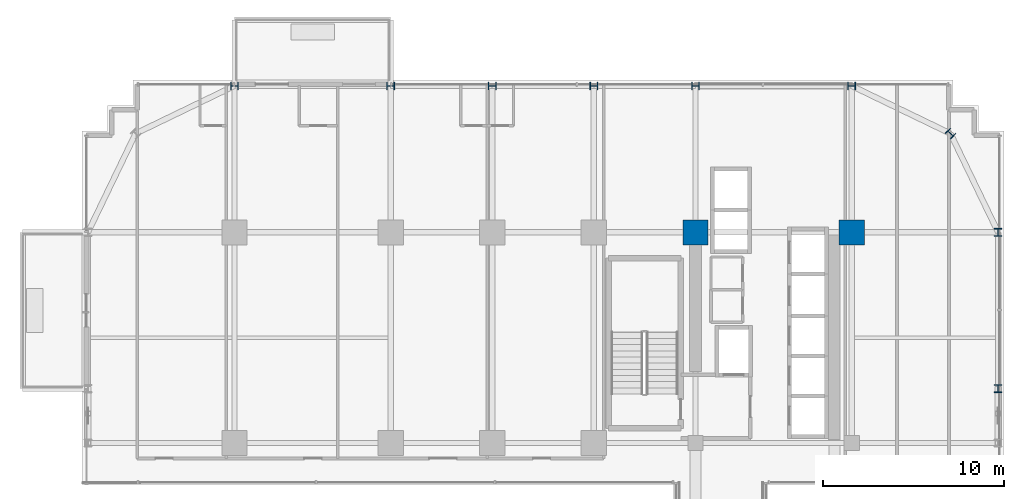
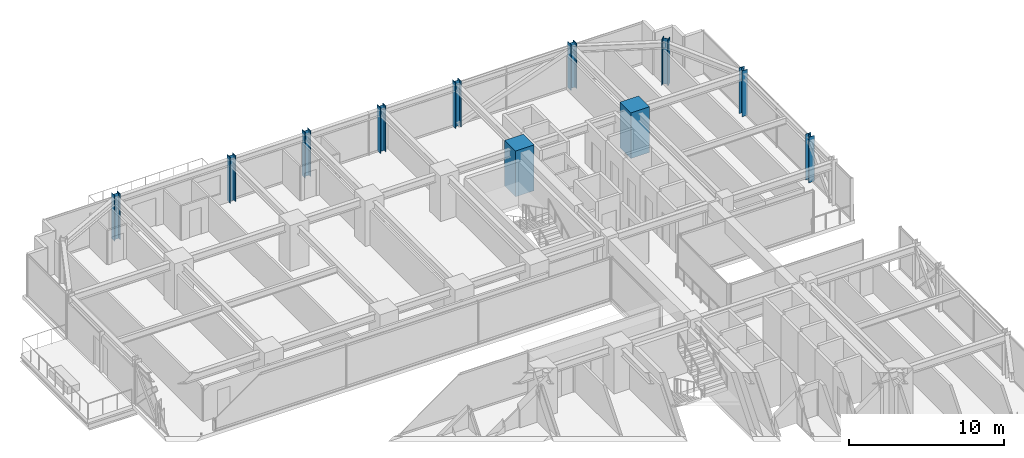
# One storey, part 2 of 42: 11 columns.
"""IFC4 building model written with IfcOpenShell, lengths in metres."""

import ifcopenshell
import ifcopenshell.guid

model = None  # the IFC model being written
_history = None  # IfcOwnerHistory: only IFC2X3 demands one
_inside = {}  # id of a spatial element -> (the spatial element, [elements in it])
_under = {}  # id of a project, library or spatial element -> (it, [spatial elements below it])
_declared = {}  # id of a project -> (the project, [libraries it declares])
_typed = {}  # id of a type object -> (the type object, [elements of that type])
_made_of = {}  # id of a material, layer set ... -> (it, [elements and type objects made of it])


def new_model(schema):
    """Start an empty IFC model of exactly this schema.

    Asked for "IFC4X3", IfcOpenShell would pick the latest addendum, in which some entities
    have other attributes; the version numbers below select the first issue.
    IFC2X3 requires an IfcOwnerHistory on every rooted entity: one is made here for all.
    """
    global model, _history
    if schema == "IFC4X3":
        model = ifcopenshell.file(schema_version=(4, 3, 0, 0))
    else:
        model = ifcopenshell.file(schema=schema)
    _inside.clear()
    _under.clear()
    _declared.clear()
    _typed.clear()
    _made_of.clear()
    _history = None
    if model.schema == "IFC2X3":
        org = make("IfcOrganization", Name="unknown")
        user = make(
            "IfcPersonAndOrganization",
            ThePerson=make("IfcPerson", FamilyName="unknown"),
            TheOrganization=org,
        )
        app = make(
            "IfcApplication",
            ApplicationDeveloper=org,
            Version="unknown",
            ApplicationFullName="unknown",
            ApplicationIdentifier="unknown",
        )
        _history = make(
            "IfcOwnerHistory",
            OwningUser=user,
            OwningApplication=app,
            ChangeAction="ADDED",
            CreationDate=0,
        )
    return model


def make(cls, **values):
    """One entity of the class cls with the attributes given. An attribute that is None is left unset."""
    return model.create_entity(
        cls, **{name: value for name, value in values.items() if value is not None}
    )


def rooted(cls, **values):
    """An entity with a GlobalId (a new one), such as an element, a storey or a relation."""
    return make(cls, GlobalId=ifcopenshell.guid.new(), OwnerHistory=_history, **values)


def si_unit(unit_type, name, prefix=None):
    """IfcSIUnit, for example si_unit("LENGTHUNIT", "METRE", prefix="MILLI")."""
    return make("IfcSIUnit", UnitType=unit_type, Prefix=prefix, Name=name)


def assignment(units):
    """IfcUnitAssignment: the units of a project."""
    return None if units is None else make("IfcUnitAssignment", Units=units)


def point(xyz):
    """IfcCartesianPoint."""
    return None if xyz is None else make("IfcCartesianPoint", Coordinates=xyz)


def direction(xyz):
    """IfcDirection."""
    return None if xyz is None else make("IfcDirection", DirectionRatios=xyz)


def frame(location, z_axis=None, x_axis=None):
    """IfcAxis2Placement3D, a coordinate frame: its origin and axes. An axis left out is left unset."""
    return make(
        "IfcAxis2Placement3D",
        Location=point(location),
        Axis=direction(z_axis),
        RefDirection=direction(x_axis),
    )


def frame_2d(location, x_axis=None):
    """IfcAxis2Placement2D, a coordinate frame in the plane: its origin and x axis."""
    return make(
        "IfcAxis2Placement2D", Location=point(location), RefDirection=direction(x_axis)
    )


def origin():
    """The frame at (0, 0, 0) with its axes left unset."""
    return frame((0.0, 0.0, 0.0))


def origin_2d():
    """The frame at (0, 0) in the plane with its x axis left unset."""
    return frame_2d((0.0, 0.0))


def place(relative_to, where):
    """IfcLocalPlacement: puts the frame where relative to a parent placement (None: the world)."""
    return make(
        "IfcLocalPlacement", PlacementRelTo=relative_to, RelativePlacement=where
    )


def context(
    kind, dimensions, precision=None, world=None, true_north=None, identifier=None
):
    """IfcGeometricRepresentationContext, for example the 3D "Model" context."""
    return make(
        "IfcGeometricRepresentationContext",
        ContextIdentifier=identifier,
        ContextType=kind,
        CoordinateSpaceDimension=dimensions,
        Precision=precision,
        WorldCoordinateSystem=world,
        TrueNorth=true_north,
    )


def subcontext(parent, identifier, kind, view, scale=None):
    """IfcGeometricRepresentationSubContext, for example "Body" below "Model"."""
    return make(
        "IfcGeometricRepresentationSubContext",
        ContextIdentifier=identifier,
        ContextType=kind,
        ParentContext=parent,
        TargetScale=scale,
        TargetView=view,
    )


def project(units=None, contexts=None):
    """IfcProject with its units and contexts."""
    return rooted(
        "IfcProject",
        Name="project",
        RepresentationContexts=contexts,
        UnitsInContext=assignment(units),
    )


def spatial(cls, under=None, at=None, **own):
    """A site, building, storey or space (cls), placed at a placement, below another one or the project."""
    s = rooted(cls, ObjectPlacement=at, **own)
    if under is not None:
        _under.setdefault(under.id(), (under, []))[1].append(s)
    return s


def profile(cls, at=None, kind="AREA", **sizes):
    """A parametric profile (cls). Its sizes go by their IFC names, for example OverallWidth=200.0."""
    return make(cls, ProfileType=kind, Position=at, **sizes)


def rectangle(**sizes):
    """IfcRectangleProfileDef."""
    return profile("IfcRectangleProfileDef", **sizes)


def i_section(**sizes):
    """IfcIShapeProfileDef."""
    return profile("IfcIShapeProfileDef", **sizes)


def extrude(swept, where, along, depth):
    """IfcExtrudedAreaSolid: the profile swept, set in the frame where, extruded along a direction by depth."""
    return make(
        "IfcExtrudedAreaSolid",
        SweptArea=swept,
        Position=where,
        ExtrudedDirection=direction(along),
        Depth=depth,
    )


def shape(context_of_items, identifier, shape_type, items):
    """IfcShapeRepresentation: the items that make up one representation, for example the "Body"."""
    return make(
        "IfcShapeRepresentation",
        ContextOfItems=context_of_items,
        RepresentationIdentifier=identifier,
        RepresentationType=shape_type,
        Items=items,
    )


def source(mapping_origin, context_of_items, identifier, shape_type, items):
    """IfcRepresentationMap: a shape defined once, which mapped items show again and again."""
    return make(
        "IfcRepresentationMap",
        MappingOrigin=mapping_origin,
        MappedRepresentation=shape(context_of_items, identifier, shape_type, items),
    )


def transform(
    local_origin,
    x_axis=None,
    y_axis=None,
    z_axis=None,
    scale=None,
    scale2=None,
    scale3=None,
    uniform=True,
):
    """IfcCartesianTransformationOperator3D, or its non-uniform kind. x_axis, y_axis, z_axis: its Axis1, 2, 3."""
    if uniform:
        return make(
            "IfcCartesianTransformationOperator3D",
            Axis1=direction(x_axis),
            Axis2=direction(y_axis),
            LocalOrigin=point(local_origin),
            Scale=scale,
            Axis3=direction(z_axis),
        )
    return make(
        "IfcCartesianTransformationOperator3DnonUniform",
        Axis1=direction(x_axis),
        Axis2=direction(y_axis),
        LocalOrigin=point(local_origin),
        Scale=scale,
        Axis3=direction(z_axis),
        Scale2=scale2,
        Scale3=scale3,
    )


def mapped(mapping_source, mapping_target):
    """IfcMappedItem: shows the shape of a source again, moved by a transform."""
    return make(
        "IfcMappedItem", MappingSource=mapping_source, MappingTarget=mapping_target
    )


def material(Name=None, Category=None):
    """IfcMaterial."""
    return make("IfcMaterial", Name=Name, Category=Category)


def material_profile(
    of_material, cross_section, Name=None, Category=None, Priority=None
):
    """IfcMaterialProfile: a cross section and its material."""
    return make(
        "IfcMaterialProfile",
        Name=Name,
        Material=of_material,
        Profile=cross_section,
        Priority=Priority,
        Category=Category,
    )


def profile_set(profiles, Name=None, composite=None):
    """IfcMaterialProfileSet."""
    return make(
        "IfcMaterialProfileSet",
        Name=Name,
        MaterialProfiles=profiles,
        CompositeProfile=composite,
    )


def made_of(thing, what):
    """Note that an element or type object is made of a material, layer set ...; save() writes the relation."""
    if what is not None:
        _made_of.setdefault(what.id(), (what, []))[1].append(thing)
    return thing


def type_object(cls, material=None, **own):
    """A type object (cls), such as IfcWallType, which elements share."""
    return made_of(rooted(cls, **own), material)


def element(
    cls,
    number,
    at=None,
    inside=None,
    cuts=None,
    type_object=None,
    material=None,
    context=None,
    identifier="Body",
    shape_type=None,
    held_by="IfcProductDefinitionShape",
    body=None,
    shapes=None,
    **own,
):
    """One element of the class cls, such as IfcWall. Its Tag is "e" and its number.

    at: its placement. inside: the storey or other place that contains it. cuts: it is an
    opening in that element (IfcRelVoidsElement). A single representation is given by context,
    identifier, shape_type and body (its items); several are given by shapes. held_by: the class
    of the entity that holds the representations. save() writes the other relations.
    """
    e = rooted(cls, Tag="e%d" % number, ObjectPlacement=at, **own)
    if body is not None:
        shapes = [shape(context, identifier, shape_type, body)]
    if shapes is not None:
        e.Representation = make(held_by, Representations=shapes)
    if inside is not None:
        _inside.setdefault(inside.id(), (inside, []))[1].append(e)
    if cuts is not None:
        rooted(
            "IfcRelVoidsElement", RelatingBuildingElement=cuts, RelatedOpeningElement=e
        )
    if type_object is not None:
        _typed.setdefault(type_object.id(), (type_object, []))[1].append(e)
    return made_of(e, material)


def aggregate(whole, parts):
    """IfcRelAggregates: a whole, such as a stair, and the parts it consists of."""
    return rooted("IfcRelAggregates", RelatingObject=whole, RelatedObjects=parts)


def save(model, path):
    """Write the relations noted so far, then the file.

    IfcRelAggregates (storeys below a building ...), IfcRelContainedInSpatialStructure (elements
    in a storey), IfcRelDefinesByType, IfcRelAssociatesMaterial and IfcRelDeclares: one each for
    every whole, place, type object, material and project.
    """
    for whole, parts in _under.values():
        aggregate(whole, parts)
    for where, things in _inside.values():
        rooted(
            "IfcRelContainedInSpatialStructure",
            RelatedElements=things,
            RelatingStructure=where,
        )
    for kind, things in _typed.values():
        rooted("IfcRelDefinesByType", RelatedObjects=things, RelatingType=kind)
    for what, things in _made_of.values():
        rooted("IfcRelAssociatesMaterial", RelatedObjects=things, RelatingMaterial=what)
    for by, libraries in _declared.values():
        rooted("IfcRelDeclares", RelatingContext=by, RelatedDefinitions=libraries)
    model.write(path)


model = new_model("IFC4")

# Units and contexts
model_context = context("Model", 3, precision=1e-05, world=origin(), true_north=direction((0.0, 1.0)))
body_context = subcontext(model_context, "Body", "Model", "MODEL_VIEW")
ifc_project = project(units=[si_unit("LENGTHUNIT", "METRE"), si_unit("AREAUNIT", "SQUARE_METRE"), si_unit("VOLUMEUNIT", "CUBIC_METRE"), si_unit("PLANEANGLEUNIT", "RADIAN"), si_unit("MASSUNIT", "GRAM", prefix="KILO")], contexts=[model_context])

# Site, building, storey
site_placement = place(None, origin())
site = spatial("IfcSite", under=ifc_project, at=site_placement, CompositionType="ELEMENT")
building_placement = place(site_placement, origin())
building = spatial("IfcBuilding", under=site, at=building_placement, Name="Nahalor Promenade Grand Hotel", CompositionType="ELEMENT")
storey_placement = place(building_placement, frame((0.0, 0.0, 61.60009765625)))
storey = spatial("IfcBuildingStorey", under=building, at=storey_placement, Name="L14", CompositionType="ELEMENT", Elevation=61.60009765625)

# Columns
ifc_material_1 = material(Name="Concrete B-70 (C60/75)", Category="concrete")
ifc_material_profile_1 = material_profile(ifc_material_1, rectangle(XDim=1.4, YDim=1.4, at=origin_2d()), Name="RC 1400x1400")
ifc_profile_set_1 = profile_set([ifc_material_profile_1], Name="Concrete B-70 (C60/75)")
column_type_1 = type_object("IfcColumnType", Name="Col-RC-1400", PredefinedType="COLUMN", material=ifc_profile_set_1)
shared_shape_1 = source(origin(), body_context, "Body", "SweptSolid", [
    extrude(rectangle(XDim=1.4, YDim=1.4, at=origin_2d()), origin(), (0.0, 0.0, 1.0), 3.60498046875),
])
for number, where, z_axis, x_axis, name in (
    (1, (8.39990234375, 17.0, 0.0), (0.0, 0.0, 1.0), (1.0, 0.0, 0.0), "COL-L14-I43"),
    (2, (17.0, 17.0, 0.0), (0.0, 0.0, 1.0), (1.0, 0.0, 0.0), "COL-L14-I53"),
):
    element("IfcColumn", number, at=place(storey_placement, frame(where, z_axis=z_axis, x_axis=x_axis)), inside=storey, type_object=column_type_1, Name=name, PredefinedType="COLUMN", context=body_context, shape_type="MappedRepresentation", body=[
        mapped(shared_shape_1, transform((0.0, 0.0, 0.0), scale=1.0)),
    ])
ifc_material_2 = material(Name="Steel S355J2", Category="steel")
ifc_material_profile_2 = material_profile(ifc_material_2, i_section(OverallWidth=0.412, OverallDepth=0.438, WebThickness=0.0226, FlangeThickness=0.0365, at=origin_2d()), Name="HD 400x463")
ifc_profile_set_2 = profile_set([ifc_material_profile_2], Name="Steel S355J2")
column_type_2 = type_object("IfcColumnType", Name="Col-Steel-HD463", PredefinedType="COLUMN", material=ifc_profile_set_2)
shared_shape_2 = source(origin(), body_context, "Body", "SweptSolid", [
    extrude(i_section(OverallWidth=0.412, OverallDepth=0.438, WebThickness=0.0226, FlangeThickness=0.0365, at=origin_2d()), origin(), (0.0, 0.0, 1.0), 3.60498046875),
])
for number, where, z_axis, x_axis, name in (
    (3, (25.080078125, 8.39990234375, 0.0), (0.0, 0.0, 1.0), (1.0, 0.0, 0.0), "COL-L14-PW-E4"),
    (4, (25.080078125, 17.0, 0.0), (0.0, 0.0, 1.0), (1.0, 0.0, 0.0), "COL-L14-PW-E5"),
    (5, (-17.0, 25.080078125, 0.0), (0.0, 0.0, 1.0), (0.0, 1.0, 0.0), "COL-L14-PN-N0"),
    (6, (-8.39990234375, 25.080078125, 0.0), (0.0, 0.0, 1.0), (0.0, 1.0, 0.0), "COL-L14-PN-N1"),
    (7, (-2.800048828125, 25.080078125, 0.0), (0.0, 0.0, 1.0), (0.0, 1.0, 0.0), "COL-L14-PN-N2"),
    (8, (2.800048828125, 25.080078125, 0.0), (0.0, 0.0, 1.0), (0.0, 1.0, 0.0), "COL-L14-PN-N3"),
    (9, (8.39990234375, 25.080078125, 0.0), (0.0, 0.0, 1.0), (0.0, 1.0, 0.0), "COL-L14-PN-N4"),
    (10, (17.0, 25.080078125, 0.0), (0.0, 0.0, 1.0), (0.0, 1.0, 0.0), "COL-L14-PN-N5"),
    (11, (22.449951171875, 22.449951171875, 0.0), (0.0, 0.0, 1.0), (0.707106781187, 0.707106781187, 0.0), "COL-L14-CRN-NE"),
):
    element("IfcColumn", number, at=place(storey_placement, frame(where, z_axis=z_axis, x_axis=x_axis)), inside=storey, type_object=column_type_2, Name=name, PredefinedType="COLUMN", context=body_context, shape_type="MappedRepresentation", body=[
        mapped(shared_shape_2, transform((0.0, 0.0, 0.0), scale=1.0)),
    ])

save(model, "model.ifc")
